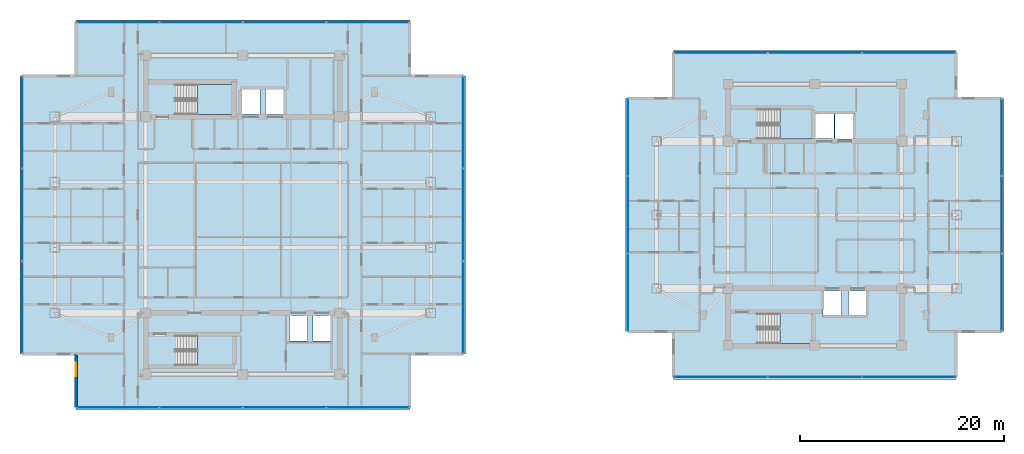
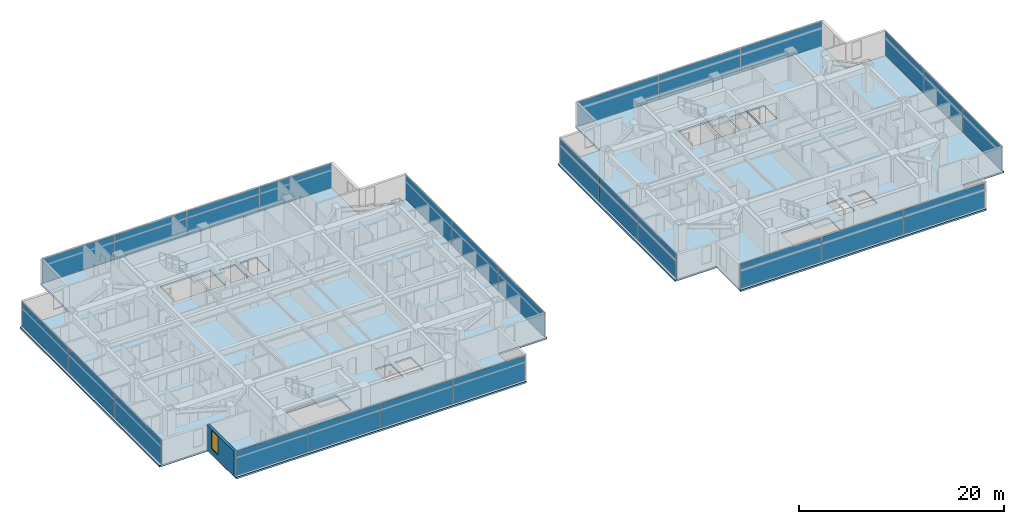
# One storey, part 11 of 25: 26 plates, 6 slabs, 1 wall, 1 window, 1 opening, 12 elements without a shape of their own.
"""IFC4 building model written with IfcOpenShell, lengths in metres."""

import ifcopenshell
import ifcopenshell.guid

model = None  # the IFC model being written
_history = None  # IfcOwnerHistory: only IFC2X3 demands one
_inside = {}  # id of a spatial element -> (the spatial element, [elements in it])
_under = {}  # id of a project, library or spatial element -> (it, [spatial elements below it])
_declared = {}  # id of a project -> (the project, [libraries it declares])
_typed = {}  # id of a type object -> (the type object, [elements of that type])
_made_of = {}  # id of a material, layer set ... -> (it, [elements and type objects made of it])


def new_model(schema):
    """Start an empty IFC model of exactly this schema.

    Asked for "IFC4X3", IfcOpenShell would pick the latest addendum, in which some entities
    have other attributes; the version numbers below select the first issue.
    IFC2X3 requires an IfcOwnerHistory on every rooted entity: one is made here for all.
    """
    global model, _history
    if schema == "IFC4X3":
        model = ifcopenshell.file(schema_version=(4, 3, 0, 0))
    else:
        model = ifcopenshell.file(schema=schema)
    _inside.clear()
    _under.clear()
    _declared.clear()
    _typed.clear()
    _made_of.clear()
    _history = None
    if model.schema == "IFC2X3":
        org = make("IfcOrganization", Name="unknown")
        user = make(
            "IfcPersonAndOrganization",
            ThePerson=make("IfcPerson", FamilyName="unknown"),
            TheOrganization=org,
        )
        app = make(
            "IfcApplication",
            ApplicationDeveloper=org,
            Version="unknown",
            ApplicationFullName="unknown",
            ApplicationIdentifier="unknown",
        )
        _history = make(
            "IfcOwnerHistory",
            OwningUser=user,
            OwningApplication=app,
            ChangeAction="ADDED",
            CreationDate=0,
        )
    return model


def make(cls, **values):
    """One entity of the class cls with the attributes given. An attribute that is None is left unset."""
    return model.create_entity(
        cls, **{name: value for name, value in values.items() if value is not None}
    )


def rooted(cls, **values):
    """An entity with a GlobalId (a new one), such as an element, a storey or a relation."""
    return make(cls, GlobalId=ifcopenshell.guid.new(), OwnerHistory=_history, **values)


def si_unit(unit_type, name, prefix=None):
    """IfcSIUnit, for example si_unit("LENGTHUNIT", "METRE", prefix="MILLI")."""
    return make("IfcSIUnit", UnitType=unit_type, Prefix=prefix, Name=name)


def assignment(units):
    """IfcUnitAssignment: the units of a project."""
    return None if units is None else make("IfcUnitAssignment", Units=units)


def point(xyz):
    """IfcCartesianPoint."""
    return None if xyz is None else make("IfcCartesianPoint", Coordinates=xyz)


def direction(xyz):
    """IfcDirection."""
    return None if xyz is None else make("IfcDirection", DirectionRatios=xyz)


def frame(location, z_axis=None, x_axis=None):
    """IfcAxis2Placement3D, a coordinate frame: its origin and axes. An axis left out is left unset."""
    return make(
        "IfcAxis2Placement3D",
        Location=point(location),
        Axis=direction(z_axis),
        RefDirection=direction(x_axis),
    )


def frame_2d(location, x_axis=None):
    """IfcAxis2Placement2D, a coordinate frame in the plane: its origin and x axis."""
    return make(
        "IfcAxis2Placement2D", Location=point(location), RefDirection=direction(x_axis)
    )


def origin():
    """The frame at (0, 0, 0) with its axes left unset."""
    return frame((0.0, 0.0, 0.0))


def origin_2d():
    """The frame at (0, 0) in the plane with its x axis left unset."""
    return frame_2d((0.0, 0.0))


def place(relative_to, where):
    """IfcLocalPlacement: puts the frame where relative to a parent placement (None: the world)."""
    return make(
        "IfcLocalPlacement", PlacementRelTo=relative_to, RelativePlacement=where
    )


def context(
    kind, dimensions, precision=None, world=None, true_north=None, identifier=None
):
    """IfcGeometricRepresentationContext, for example the 3D "Model" context."""
    return make(
        "IfcGeometricRepresentationContext",
        ContextIdentifier=identifier,
        ContextType=kind,
        CoordinateSpaceDimension=dimensions,
        Precision=precision,
        WorldCoordinateSystem=world,
        TrueNorth=true_north,
    )


def subcontext(parent, identifier, kind, view, scale=None):
    """IfcGeometricRepresentationSubContext, for example "Body" below "Model"."""
    return make(
        "IfcGeometricRepresentationSubContext",
        ContextIdentifier=identifier,
        ContextType=kind,
        ParentContext=parent,
        TargetScale=scale,
        TargetView=view,
    )


def project(units=None, contexts=None):
    """IfcProject with its units and contexts."""
    return rooted(
        "IfcProject",
        Name="project",
        RepresentationContexts=contexts,
        UnitsInContext=assignment(units),
    )


def spatial(cls, under=None, at=None, **own):
    """A site, building, storey or space (cls), placed at a placement, below another one or the project."""
    s = rooted(cls, ObjectPlacement=at, **own)
    if under is not None:
        _under.setdefault(under.id(), (under, []))[1].append(s)
    return s


def polyline(points):
    """IfcPolyline through the points."""
    return make("IfcPolyline", Points=[point(p) for p in points])


def profile(cls, at=None, kind="AREA", **sizes):
    """A parametric profile (cls). Its sizes go by their IFC names, for example OverallWidth=200.0."""
    return make(cls, ProfileType=kind, Position=at, **sizes)


def rectangle(**sizes):
    """IfcRectangleProfileDef."""
    return profile("IfcRectangleProfileDef", **sizes)


def outline(outer, holes=None, kind="AREA"):
    """IfcArbitraryClosedProfileDef: a profile drawn as a closed curve; with holes, ...WithVoids."""
    if holes is None:
        return make("IfcArbitraryClosedProfileDef", ProfileType=kind, OuterCurve=outer)
    return make(
        "IfcArbitraryProfileDefWithVoids",
        ProfileType=kind,
        OuterCurve=outer,
        InnerCurves=holes,
    )


def extrude(swept, where, along, depth):
    """IfcExtrudedAreaSolid: the profile swept, set in the frame where, extruded along a direction by depth."""
    return make(
        "IfcExtrudedAreaSolid",
        SweptArea=swept,
        Position=where,
        ExtrudedDirection=direction(along),
        Depth=depth,
    )


def shape(context_of_items, identifier, shape_type, items):
    """IfcShapeRepresentation: the items that make up one representation, for example the "Body"."""
    return make(
        "IfcShapeRepresentation",
        ContextOfItems=context_of_items,
        RepresentationIdentifier=identifier,
        RepresentationType=shape_type,
        Items=items,
    )


def material(Name=None, Category=None):
    """IfcMaterial."""
    return make("IfcMaterial", Name=Name, Category=Category)


def layer(
    of_material, thickness, ventilated=None, Name=None, Category=None, Priority=None
):
    """IfcMaterialLayer: one layer of a wall or slab, of a material (None: an air gap)."""
    return make(
        "IfcMaterialLayer",
        Material=of_material,
        LayerThickness=thickness,
        IsVentilated=ventilated,
        Name=Name,
        Category=Category,
        Priority=Priority,
    )


def layer_set(layers, Name=None):
    """IfcMaterialLayerSet."""
    return make("IfcMaterialLayerSet", MaterialLayers=layers, LayerSetName=Name)


def made_of(thing, what):
    """Note that an element or type object is made of a material, layer set ...; save() writes the relation."""
    if what is not None:
        _made_of.setdefault(what.id(), (what, []))[1].append(thing)
    return thing


def type_object(cls, material=None, **own):
    """A type object (cls), such as IfcWallType, which elements share."""
    return made_of(rooted(cls, **own), material)


def element(
    cls,
    number,
    at=None,
    inside=None,
    cuts=None,
    type_object=None,
    material=None,
    context=None,
    identifier="Body",
    shape_type=None,
    held_by="IfcProductDefinitionShape",
    body=None,
    shapes=None,
    **own,
):
    """One element of the class cls, such as IfcWall. Its Tag is "e" and its number.

    at: its placement. inside: the storey or other place that contains it. cuts: it is an
    opening in that element (IfcRelVoidsElement). A single representation is given by context,
    identifier, shape_type and body (its items); several are given by shapes. held_by: the class
    of the entity that holds the representations. save() writes the other relations.
    """
    e = rooted(cls, Tag="e%d" % number, ObjectPlacement=at, **own)
    if body is not None:
        shapes = [shape(context, identifier, shape_type, body)]
    if shapes is not None:
        e.Representation = make(held_by, Representations=shapes)
    if inside is not None:
        _inside.setdefault(inside.id(), (inside, []))[1].append(e)
    if cuts is not None:
        rooted(
            "IfcRelVoidsElement", RelatingBuildingElement=cuts, RelatedOpeningElement=e
        )
    if type_object is not None:
        _typed.setdefault(type_object.id(), (type_object, []))[1].append(e)
    return made_of(e, material)


def fill(opening, filler):
    """IfcRelFillsElement: the door or window that sits in an opening."""
    return rooted(
        "IfcRelFillsElement",
        RelatingOpeningElement=opening,
        RelatedBuildingElement=filler,
    )


def aggregate(whole, parts):
    """IfcRelAggregates: a whole, such as a stair, and the parts it consists of."""
    return rooted("IfcRelAggregates", RelatingObject=whole, RelatedObjects=parts)


def save(model, path):
    """Write the relations noted so far, then the file.

    IfcRelAggregates (storeys below a building ...), IfcRelContainedInSpatialStructure (elements
    in a storey), IfcRelDefinesByType, IfcRelAssociatesMaterial and IfcRelDeclares: one each for
    every whole, place, type object, material and project.
    """
    for whole, parts in _under.values():
        aggregate(whole, parts)
    for where, things in _inside.values():
        rooted(
            "IfcRelContainedInSpatialStructure",
            RelatedElements=things,
            RelatingStructure=where,
        )
    for kind, things in _typed.values():
        rooted("IfcRelDefinesByType", RelatedObjects=things, RelatingType=kind)
    for what, things in _made_of.values():
        rooted("IfcRelAssociatesMaterial", RelatedObjects=things, RelatingMaterial=what)
    for by, libraries in _declared.values():
        rooted("IfcRelDeclares", RelatingContext=by, RelatedDefinitions=libraries)
    model.write(path)


model = new_model("IFC4")

# Units and contexts
model_context = context("Model", 3, precision=1e-05, world=origin(), true_north=direction((0.0, 1.0)))
body_context = subcontext(model_context, "Body", "Model", "MODEL_VIEW")
ifc_project = project(units=[si_unit("LENGTHUNIT", "METRE"), si_unit("AREAUNIT", "SQUARE_METRE"), si_unit("VOLUMEUNIT", "CUBIC_METRE"), si_unit("PLANEANGLEUNIT", "RADIAN"), si_unit("MASSUNIT", "GRAM", prefix="KILO")], contexts=[model_context])

# Site, building, storey
site_placement = place(None, origin())
site = spatial("IfcSite", under=ifc_project, at=site_placement, CompositionType="ELEMENT")
building_placement = place(site_placement, origin())
building = spatial("IfcBuilding", under=site, at=building_placement, Name="Mirazonda Arch Towers", CompositionType="ELEMENT")
storey_placement = place(building_placement, frame((0.0, 0.0, 177.14990234375)))
storey = spatial("IfcBuildingStorey", under=building, at=storey_placement, Name="L50", CompositionType="ELEMENT", Elevation=177.14990234375)

# Curtain wall, plates
ifc_material_1 = material(Name="Anodised Aluminium and Low-E Glass", Category="aluminium")
curtain_wall_type = type_object("IfcCurtainWallType", Name="CW-RES-UNIT", PredefinedType="NOTDEFINED", material=ifc_material_1)
curtain_wall_1_placement = place(storey_placement, origin())
curtain_wall_1 = element("IfcCurtainWall", 1, at=curtain_wall_1_placement, inside=storey, type_object=curtain_wall_type, Name="L50 T1 S Facade CW-L50-T1-S", PredefinedType="NOTDEFINED")
ifc_material_2 = material(Name="Insulated Low-E Solar Glass", Category="glass")
ifc_layer_1 = layer(ifc_material_2, 0.0400390625, Name="PAN-CW-RES-UNIT")
ifc_layer_set_1 = layer_set([ifc_layer_1], Name="Insulated Low-E Solar Glass")
plate_type = type_object("IfcPlateType", Name="PAN-CW-RES-UNIT", PredefinedType="CURTAIN_PANEL", material=ifc_layer_set_1)
plate_1_placement = place(storey_placement, frame((32.739990234375, 9.14404296875, 0.0751953125), z_axis=(0.0, 0.0, 1.0), x_axis=(-1.0, 0.0, 0.0)))
plate_1 = element("IfcPlate", 2, at=plate_1_placement, type_object=plate_type, Name="CW-104 panel 1.1", PredefinedType="CURTAIN_PANEL", context=body_context, shape_type="SweptSolid", body=[
    extrude(rectangle(XDim=8.06005859375, YDim=0.0400390625, at=origin_2d()), origin(), (0.0, 0.0, 1.0), 2.8798828125),
])
plate_2_placement = place(storey_placement, frame((24.586181640625, 9.14404296875, 0.0751953125), z_axis=(0.0, 0.0, 1.0), x_axis=(-1.0, 0.0, 0.0)))
plate_2 = element("IfcPlate", 3, at=plate_2_placement, type_object=plate_type, Name="CW-104 panel 2.1", PredefinedType="CURTAIN_PANEL", context=body_context, shape_type="SweptSolid", body=[
    extrude(rectangle(XDim=8.097412109375, YDim=0.0400390625, at=origin_2d()), origin(), (0.0, 0.0, 1.0), 2.8798828125),
])
plate_3_placement = place(storey_placement, frame((16.413818359375, 9.14404296875, 0.0751953125), z_axis=(0.0, 0.0, 1.0), x_axis=(-1.0, 0.0, 0.0)))
plate_3 = element("IfcPlate", 4, at=plate_3_placement, type_object=plate_type, Name="CW-104 panel 3.1", PredefinedType="CURTAIN_PANEL", context=body_context, shape_type="SweptSolid", body=[
    extrude(rectangle(XDim=8.097412109375, YDim=0.0400390625, at=origin_2d()), origin(), (0.0, 0.0, 1.0), 2.8798828125),
])
plate_4_placement = place(storey_placement, frame((8.260009765625, 9.14404296875, 0.0751953125), z_axis=(0.0, 0.0, 1.0), x_axis=(-1.0, 0.0, 0.0)))
plate_4 = element("IfcPlate", 5, at=plate_4_placement, type_object=plate_type, Name="CW-104 panel 4.1", PredefinedType="CURTAIN_PANEL", context=body_context, shape_type="SweptSolid", body=[
    extrude(rectangle(XDim=8.06005859375, YDim=0.0400390625, at=origin_2d()), origin(), (0.0, 0.0, 1.0), 2.8798828125),
])
aggregate(curtain_wall_1, [plate_1, plate_2, plate_3, plate_4])

curtain_wall_2_placement = place(storey_placement, origin())
curtain_wall_2 = element("IfcCurtainWall", 6, at=curtain_wall_2_placement, inside=storey, type_object=curtain_wall_type, Name="L50 T1 E Facade CW-L50-T1-E", PredefinedType="NOTDEFINED")
plate_5_placement = place(storey_placement, frame((42.090087890625, 18.94482421875, 0.0751953125), z_axis=(0.0, 0.0, 1.0), x_axis=(0.0, 1.0, 0.0)))
plate_5 = element("IfcPlate", 7, at=plate_5_placement, type_object=plate_type, Name="CW-104 panel 1.1", PredefinedType="CURTAIN_PANEL", context=body_context, shape_type="SweptSolid", body=[
    extrude(rectangle(XDim=8.96142578125, YDim=0.0400390625, at=origin_2d()), origin(), (0.0, 0.0, 1.0), 2.8798828125),
])
plate_6_placement = place(storey_placement, frame((42.090087890625, 28.0, 0.0751953125), z_axis=(0.0, 0.0, 1.0), x_axis=(0.0, 1.0, 0.0)))
plate_6 = element("IfcPlate", 8, at=plate_6_placement, type_object=plate_type, Name="CW-104 panel 2.1", PredefinedType="CURTAIN_PANEL", context=body_context, shape_type="SweptSolid", body=[
    extrude(rectangle(XDim=8.9990234375, YDim=0.0400390625, at=origin_2d()), origin(), (0.0, 0.0, 1.0), 2.8798828125),
])
plate_7_placement = place(storey_placement, frame((42.090087890625, 37.05517578125, 0.0751953125), z_axis=(0.0, 0.0, 1.0), x_axis=(0.0, 1.0, 0.0)))
plate_7 = element("IfcPlate", 9, at=plate_7_placement, type_object=plate_type, Name="CW-104 panel 3.1", PredefinedType="CURTAIN_PANEL", context=body_context, shape_type="SweptSolid", body=[
    extrude(rectangle(XDim=8.96142578125, YDim=0.0400390625, at=origin_2d()), origin(), (0.0, 0.0, 1.0), 2.8798828125),
])
aggregate(curtain_wall_2, [plate_5, plate_6, plate_7])

curtain_wall_3_placement = place(storey_placement, origin())
curtain_wall_3 = element("IfcCurtainWall", 10, at=curtain_wall_3_placement, inside=storey, type_object=curtain_wall_type, Name="L50 T1 N Facade CW-L50-T1-N", PredefinedType="NOTDEFINED")
plate_8_placement = place(storey_placement, frame((8.260009765625, 46.85595703125, 0.0751953125), z_axis=(0.0, 0.0, 1.0), x_axis=(1.0, 0.0, 0.0)))
plate_8 = element("IfcPlate", 11, at=plate_8_placement, type_object=plate_type, Name="CW-104 panel 1.1", PredefinedType="CURTAIN_PANEL", context=body_context, shape_type="SweptSolid", body=[
    extrude(rectangle(XDim=8.06005859375, YDim=0.0400390625, at=origin_2d()), origin(), (0.0, 0.0, 1.0), 2.8798828125),
])
plate_9_placement = place(storey_placement, frame((16.413818359375, 46.85595703125, 0.0751953125), z_axis=(0.0, 0.0, 1.0), x_axis=(1.0, 0.0, 0.0)))
plate_9 = element("IfcPlate", 12, at=plate_9_placement, type_object=plate_type, Name="CW-104 panel 2.1", PredefinedType="CURTAIN_PANEL", context=body_context, shape_type="SweptSolid", body=[
    extrude(rectangle(XDim=8.097412109375, YDim=0.0400390625, at=origin_2d()), origin(), (0.0, 0.0, 1.0), 2.8798828125),
])
plate_10_placement = place(storey_placement, frame((24.586181640625, 46.85595703125, 0.0751953125), z_axis=(0.0, 0.0, 1.0), x_axis=(1.0, 0.0, 0.0)))
plate_10 = element("IfcPlate", 13, at=plate_10_placement, type_object=plate_type, Name="CW-104 panel 3.1", PredefinedType="CURTAIN_PANEL", context=body_context, shape_type="SweptSolid", body=[
    extrude(rectangle(XDim=8.097412109375, YDim=0.0400390625, at=origin_2d()), origin(), (0.0, 0.0, 1.0), 2.8798828125),
])
plate_11_placement = place(storey_placement, frame((32.739990234375, 46.85595703125, 0.0751953125), z_axis=(0.0, 0.0, 1.0), x_axis=(1.0, 0.0, 0.0)))
plate_11 = element("IfcPlate", 14, at=plate_11_placement, type_object=plate_type, Name="CW-104 panel 4.1", PredefinedType="CURTAIN_PANEL", context=body_context, shape_type="SweptSolid", body=[
    extrude(rectangle(XDim=8.06005859375, YDim=0.0400390625, at=origin_2d()), origin(), (0.0, 0.0, 1.0), 2.8798828125),
])
aggregate(curtain_wall_3, [plate_8, plate_9, plate_10, plate_11])

curtain_wall_4_placement = place(storey_placement, origin())
curtain_wall_4 = element("IfcCurtainWall", 15, at=curtain_wall_4_placement, inside=storey, type_object=curtain_wall_type, Name="L50 T1 W Facade CW-L50-T1-W", PredefinedType="NOTDEFINED")
plate_12_placement = place(storey_placement, frame((-1.090087890625, 37.05517578125, 0.0751953125), z_axis=(0.0, 0.0, 1.0), x_axis=(0.0, -1.0, 0.0)))
plate_12 = element("IfcPlate", 16, at=plate_12_placement, type_object=plate_type, Name="CW-104 panel 1.1", PredefinedType="CURTAIN_PANEL", context=body_context, shape_type="SweptSolid", body=[
    extrude(rectangle(XDim=8.96142578125, YDim=0.0400390625, at=origin_2d()), origin(), (0.0, 0.0, 1.0), 2.8798828125),
])
plate_13_placement = place(storey_placement, frame((-1.090087890625, 28.0, 0.0751953125), z_axis=(0.0, 0.0, 1.0), x_axis=(0.0, -1.0, 0.0)))
plate_13 = element("IfcPlate", 17, at=plate_13_placement, type_object=plate_type, Name="CW-104 panel 2.1", PredefinedType="CURTAIN_PANEL", context=body_context, shape_type="SweptSolid", body=[
    extrude(rectangle(XDim=8.9990234375, YDim=0.0400390625, at=origin_2d()), origin(), (0.0, 0.0, 1.0), 2.8798828125),
])
plate_14_placement = place(storey_placement, frame((-1.090087890625, 18.94482421875, 0.0751953125), z_axis=(0.0, 0.0, 1.0), x_axis=(0.0, -1.0, 0.0)))
plate_14 = element("IfcPlate", 18, at=plate_14_placement, type_object=plate_type, Name="CW-104 panel 3.1", PredefinedType="CURTAIN_PANEL", context=body_context, shape_type="SweptSolid", body=[
    extrude(rectangle(XDim=8.96142578125, YDim=0.0400390625, at=origin_2d()), origin(), (0.0, 0.0, 1.0), 2.8798828125),
])
aggregate(curtain_wall_4, [plate_12, plate_13, plate_14])

curtain_wall_5_placement = place(storey_placement, origin())
curtain_wall_5 = element("IfcCurtainWall", 19, at=curtain_wall_5_placement, inside=storey, type_object=curtain_wall_type, Name="L50 T2 S Facade CW-L50-T2-S", PredefinedType="NOTDEFINED")
plate_15_placement = place(storey_placement, frame((85.703369140625, 12.12548828125, 0.0751953125), z_axis=(0.0, 0.0, 1.0), x_axis=(-1.0, 0.0, 0.0)))
plate_15 = element("IfcPlate", 20, at=plate_15_placement, type_object=plate_type, Name="CW-104 panel 1.1", PredefinedType="CURTAIN_PANEL", context=body_context, shape_type="SweptSolid", body=[
    extrude(rectangle(XDim=9.109619140625, YDim=0.0400390625, at=origin_2d()), origin(), (0.0, 0.0, 1.0), 2.8798828125),
])
plate_16_placement = place(storey_placement, frame((76.5, 12.12548828125, 0.0751953125), z_axis=(0.0, 0.0, 1.0), x_axis=(-1.0, 0.0, 0.0)))
plate_16 = element("IfcPlate", 21, at=plate_16_placement, type_object=plate_type, Name="CW-104 panel 2.1", PredefinedType="CURTAIN_PANEL", context=body_context, shape_type="SweptSolid", body=[
    extrude(rectangle(XDim=9.147216796875, YDim=0.0400390625, at=origin_2d()), origin(), (0.0, 0.0, 1.0), 2.8798828125),
])
plate_17_placement = place(storey_placement, frame((67.296630859375, 12.12548828125, 0.0751953125), z_axis=(0.0, 0.0, 1.0), x_axis=(-1.0, 0.0, 0.0)))
plate_17 = element("IfcPlate", 22, at=plate_17_placement, type_object=plate_type, Name="CW-104 panel 3.1", PredefinedType="CURTAIN_PANEL", context=body_context, shape_type="SweptSolid", body=[
    extrude(rectangle(XDim=9.109619140625, YDim=0.0400390625, at=origin_2d()), origin(), (0.0, 0.0, 1.0), 2.8798828125),
])
aggregate(curtain_wall_5, [plate_15, plate_16, plate_17])

curtain_wall_6_placement = place(storey_placement, origin())
curtain_wall_6 = element("IfcCurtainWall", 23, at=curtain_wall_6_placement, inside=storey, type_object=curtain_wall_type, Name="L50 T2 E Facade CW-L50-T2-E", PredefinedType="NOTDEFINED")
plate_18_placement = place(storey_placement, frame((94.798583984375, 20.41259765625, 0.0751953125), z_axis=(0.0, 0.0, 1.0), x_axis=(0.0, 1.0, 0.0)))
plate_18 = element("IfcPlate", 24, at=plate_18_placement, type_object=plate_type, Name="CW-104 panel 1.1", PredefinedType="CURTAIN_PANEL", context=body_context, shape_type="SweptSolid", body=[
    extrude(rectangle(XDim=7.49365234375, YDim=0.0400390625, at=origin_2d()), origin(), (0.0, 0.0, 1.0), 2.8798828125),
])
plate_19_placement = place(storey_placement, frame((94.798583984375, 28.0, 0.0751953125), z_axis=(0.0, 0.0, 1.0), x_axis=(0.0, 1.0, 0.0)))
plate_19 = element("IfcPlate", 25, at=plate_19_placement, type_object=plate_type, Name="CW-104 panel 2.1", PredefinedType="CURTAIN_PANEL", context=body_context, shape_type="SweptSolid", body=[
    extrude(rectangle(XDim=7.53125, YDim=0.0400390625, at=origin_2d()), origin(), (0.0, 0.0, 1.0), 2.8798828125),
])
plate_20_placement = place(storey_placement, frame((94.798583984375, 35.58740234375, 0.0751953125), z_axis=(0.0, 0.0, 1.0), x_axis=(0.0, 1.0, 0.0)))
plate_20 = element("IfcPlate", 26, at=plate_20_placement, type_object=plate_type, Name="CW-104 panel 3.1", PredefinedType="CURTAIN_PANEL", context=body_context, shape_type="SweptSolid", body=[
    extrude(rectangle(XDim=7.49365234375, YDim=0.0400390625, at=origin_2d()), origin(), (0.0, 0.0, 1.0), 2.8798828125),
])
aggregate(curtain_wall_6, [plate_18, plate_19, plate_20])

curtain_wall_7_placement = place(storey_placement, origin())
curtain_wall_7 = element("IfcCurtainWall", 27, at=curtain_wall_7_placement, inside=storey, type_object=curtain_wall_type, Name="L50 T2 N Facade CW-L50-T2-N", PredefinedType="NOTDEFINED")
plate_21_placement = place(storey_placement, frame((67.296630859375, 43.87451171875, 0.0751953125), z_axis=(0.0, 0.0, 1.0), x_axis=(1.0, 0.0, 0.0)))
plate_21 = element("IfcPlate", 28, at=plate_21_placement, type_object=plate_type, Name="CW-104 panel 1.1", PredefinedType="CURTAIN_PANEL", context=body_context, shape_type="SweptSolid", body=[
    extrude(rectangle(XDim=9.109619140625, YDim=0.0400390625, at=origin_2d()), origin(), (0.0, 0.0, 1.0), 2.8798828125),
])
plate_22_placement = place(storey_placement, frame((76.5, 43.87451171875, 0.0751953125), z_axis=(0.0, 0.0, 1.0), x_axis=(1.0, 0.0, 0.0)))
plate_22 = element("IfcPlate", 29, at=plate_22_placement, type_object=plate_type, Name="CW-104 panel 2.1", PredefinedType="CURTAIN_PANEL", context=body_context, shape_type="SweptSolid", body=[
    extrude(rectangle(XDim=9.147216796875, YDim=0.0400390625, at=origin_2d()), origin(), (0.0, 0.0, 1.0), 2.8798828125),
])
plate_23_placement = place(storey_placement, frame((85.703369140625, 43.87451171875, 0.0751953125), z_axis=(0.0, 0.0, 1.0), x_axis=(1.0, 0.0, 0.0)))
plate_23 = element("IfcPlate", 30, at=plate_23_placement, type_object=plate_type, Name="CW-104 panel 3.1", PredefinedType="CURTAIN_PANEL", context=body_context, shape_type="SweptSolid", body=[
    extrude(rectangle(XDim=9.109619140625, YDim=0.0400390625, at=origin_2d()), origin(), (0.0, 0.0, 1.0), 2.8798828125),
])
aggregate(curtain_wall_7, [plate_21, plate_22, plate_23])

curtain_wall_8_placement = place(storey_placement, origin())
curtain_wall_8 = element("IfcCurtainWall", 31, at=curtain_wall_8_placement, inside=storey, type_object=curtain_wall_type, Name="L50 T2 W Facade CW-L50-T2-W", PredefinedType="NOTDEFINED")
plate_24_placement = place(storey_placement, frame((58.201416015625, 35.58740234375, 0.0751953125), z_axis=(0.0, 0.0, 1.0), x_axis=(0.0, -1.0, 0.0)))
plate_24 = element("IfcPlate", 32, at=plate_24_placement, type_object=plate_type, Name="CW-104 panel 1.1", PredefinedType="CURTAIN_PANEL", context=body_context, shape_type="SweptSolid", body=[
    extrude(rectangle(XDim=7.49365234375, YDim=0.0400390625, at=origin_2d()), origin(), (0.0, 0.0, 1.0), 2.8798828125),
])
plate_25_placement = place(storey_placement, frame((58.201416015625, 28.0, 0.0751953125), z_axis=(0.0, 0.0, 1.0), x_axis=(0.0, -1.0, 0.0)))
plate_25 = element("IfcPlate", 33, at=plate_25_placement, type_object=plate_type, Name="CW-104 panel 2.1", PredefinedType="CURTAIN_PANEL", context=body_context, shape_type="SweptSolid", body=[
    extrude(rectangle(XDim=7.53125, YDim=0.0400390625, at=origin_2d()), origin(), (0.0, 0.0, 1.0), 2.8798828125),
])
plate_26_placement = place(storey_placement, frame((58.201416015625, 20.41259765625, 0.0751953125), z_axis=(0.0, 0.0, 1.0), x_axis=(0.0, -1.0, 0.0)))
plate_26 = element("IfcPlate", 34, at=plate_26_placement, type_object=plate_type, Name="CW-104 panel 3.1", PredefinedType="CURTAIN_PANEL", context=body_context, shape_type="SweptSolid", body=[
    extrude(rectangle(XDim=7.49365234375, YDim=0.0400390625, at=origin_2d()), origin(), (0.0, 0.0, 1.0), 2.8798828125),
])
aggregate(curtain_wall_8, [plate_24, plate_25, plate_26])

# Stair, slab
ifc_material_3 = material(Name="Concrete C40/50", Category="concrete")
stair_type = type_object("IfcStairType", Name="STAIR-CORE-1400", PredefinedType="HALF_TURN_STAIR", material=ifc_material_3)
stair_1_placement = place(storey_placement, origin())
stair_1 = element("IfcStair", 35, at=stair_1_placement, inside=storey, type_object=stair_type, Name="L50 Protected Exit Stair ST-T1N", PredefinedType="HALF_TURN_STAIR")
ifc_layer_2 = layer(ifc_material_3, 0.18994140625, Name="SLAB-LANDING-190")
ifc_layer_set_2 = layer_set([ifc_layer_2], Name="Concrete C40/50")
slab_type_1 = type_object("IfcSlabType", Name="SLAB-LANDING-190", PredefinedType="LANDING", material=ifc_layer_set_2)
slab_1_placement = place(storey_placement, frame((0.0, 0.0, 1.425048828125)))
slab_1 = element("IfcSlab", 36, at=slab_1_placement, type_object=slab_type_1, Name="ST-T1N landing 1", PredefinedType="LANDING", context=body_context, shape_type="SweptSolid", body=[
    extrude(outline(polyline([(16.090087890625, 37.820068359375), (19.60009765625, 37.820068359375), (19.60009765625, 40.760009765625), (16.090087890625, 40.760009765625), (16.090087890625, 37.820068359375)])), origin(), (0.0, 0.0, 1.0), 0.199951171875),
])
aggregate(stair_1, [slab_1])

stair_2_placement = place(storey_placement, origin())
stair_2 = element("IfcStair", 37, at=stair_2_placement, inside=storey, type_object=stair_type, Name="L50 Protected Exit Stair ST-T1S", PredefinedType="HALF_TURN_STAIR")
slab_2_placement = place(storey_placement, frame((0.0, 0.0, 1.425048828125)))
slab_2 = element("IfcSlab", 38, at=slab_2_placement, type_object=slab_type_1, Name="ST-T1S landing 1", PredefinedType="LANDING", context=body_context, shape_type="SweptSolid", body=[
    extrude(outline(polyline([(16.090087890625, 13.25), (19.60009765625, 13.25), (19.60009765625, 16.18994140625), (16.090087890625, 16.18994140625), (16.090087890625, 13.25)])), origin(), (0.0, 0.0, 1.0), 0.199951171875),
])
aggregate(stair_2, [slab_2])

stair_3_placement = place(storey_placement, origin())
stair_3 = element("IfcStair", 39, at=stair_3_placement, inside=storey, type_object=stair_type, Name="L50 Protected Exit Stair ST-T2N", PredefinedType="HALF_TURN_STAIR")
slab_3_placement = place(storey_placement, frame((0.0, 0.0, 1.425048828125)))
slab_3 = element("IfcSlab", 40, at=slab_3_placement, type_object=slab_type_1, Name="ST-T2N landing 1", PredefinedType="LANDING", context=body_context, shape_type="SweptSolid", body=[
    extrude(outline(polyline([(73.090087890625, 35.419921875), (76.22998046875, 35.419921875), (76.22998046875, 38.360107421875), (73.090087890625, 38.360107421875), (73.090087890625, 35.419921875)])), origin(), (0.0, 0.0, 1.0), 0.199951171875),
])
aggregate(stair_3, [slab_3])

stair_4_placement = place(storey_placement, origin())
stair_4 = element("IfcStair", 41, at=stair_4_placement, inside=storey, type_object=stair_type, Name="L50 Protected Exit Stair ST-T2S", PredefinedType="HALF_TURN_STAIR")
slab_4_placement = place(storey_placement, frame((0.0, 0.0, 1.425048828125)))
slab_4 = element("IfcSlab", 42, at=slab_4_placement, type_object=slab_type_1, Name="ST-T2S landing 1", PredefinedType="LANDING", context=body_context, shape_type="SweptSolid", body=[
    extrude(outline(polyline([(73.090087890625, 15.419921875), (76.22998046875, 15.419921875), (76.22998046875, 18.360107421875), (73.090087890625, 18.360107421875), (73.090087890625, 15.419921875)])), origin(), (0.0, 0.0, 1.0), 0.199951171875),
])
aggregate(stair_4, [slab_4])

# Slabs
ifc_layer_3 = layer(ifc_material_3, 0.199951171875, Name="SLAB-TWR-200")
ifc_layer_set_3 = layer_set([ifc_layer_3], Name="Concrete C40/50")
slab_type_2 = type_object("IfcSlabType", Name="SLAB-TWR-200", PredefinedType="FLOOR", material=ifc_layer_set_3)
slab_5_placement = place(storey_placement, frame((0.0, 0.0, -0.199951171875)))
element("IfcSlab", 43, at=slab_5_placement, inside=storey, type_object=slab_type_2, Name="L50 Tower 1 Floor Slab", PredefinedType="FLOOR", context=body_context, shape_type="SweptSolid", body=[
    extrude(outline(polyline([(4.155029296875, 8.924072265625), (36.844970703125, 8.924072265625), (36.844970703125, 14.388916015625), (42.31005859375, 14.388916015625), (42.31005859375, 41.611083984375), (36.844970703125, 41.611083984375), (36.844970703125, 47.075927734375), (4.155029296875, 47.075927734375), (4.155029296875, 41.611083984375), (-1.31005859375, 41.611083984375), (-1.31005859375, 14.388916015625), (4.155029296875, 14.388916015625), (4.155029296875, 8.924072265625)]), holes=[polyline([(27.360107421875, 18.139892578125), (29.139892578125, 18.139892578125), (29.139892578125, 15.659912109375), (27.360107421875, 15.659912109375), (27.360107421875, 18.139892578125)]), polyline([(25.06005859375, 18.139892578125), (26.840087890625, 18.139892578125), (26.840087890625, 15.659912109375), (25.06005859375, 15.659912109375), (25.06005859375, 18.139892578125)]), polyline([(22.7099609375, 40.389892578125), (24.590087890625, 40.389892578125), (24.590087890625, 37.81005859375), (22.7099609375, 37.81005859375), (22.7099609375, 40.389892578125)]), polyline([(20.31005859375, 37.860107421875), (20.31005859375, 40.340087890625), (22.18994140625, 40.340087890625), (22.18994140625, 37.860107421875), (20.31005859375, 37.860107421875)]), polyline([(19.60009765625, 13.25), (13.925048828125, 13.25), (13.925048828125, 16.18994140625), (19.60009765625, 16.18994140625), (19.60009765625, 13.25)]), polyline([(13.925048828125, 37.820068359375), (13.925048828125, 40.760009765625), (19.60009765625, 40.760009765625), (19.60009765625, 37.820068359375), (13.925048828125, 37.820068359375)])]), origin(), (0.0, 0.0, 1.0), 0.199951171875),
])
slab_6_placement = place(storey_placement, frame((0.0, 0.0, -0.199951171875)))
element("IfcSlab", 44, at=slab_6_placement, inside=storey, type_object=slab_type_2, Name="L50 Tower 2 Floor Slab", PredefinedType="FLOOR", context=body_context, shape_type="SweptSolid", body=[
    extrude(outline(polyline([(62.666748046875, 11.905517578125), (90.333251953125, 11.905517578125), (90.333251953125, 16.590576171875), (95.0185546875, 16.590576171875), (95.0185546875, 39.409423828125), (90.333251953125, 39.409423828125), (90.333251953125, 44.094482421875), (62.666748046875, 44.094482421875), (62.666748046875, 39.409423828125), (57.9814453125, 39.409423828125), (57.9814453125, 16.590576171875), (62.666748046875, 16.590576171875), (62.666748046875, 11.905517578125)]), holes=[polyline([(79.81005859375, 20.5400390625), (81.590087890625, 20.5400390625), (81.590087890625, 18.06005859375), (79.81005859375, 18.06005859375), (79.81005859375, 20.5400390625)]), polyline([(78.47998046875, 37.989990234375), (80.360107421875, 37.989990234375), (80.360107421875, 35.409912109375), (78.47998046875, 35.409912109375), (78.47998046875, 37.989990234375)]), polyline([(77.31005859375, 20.5400390625), (79.090087890625, 20.5400390625), (79.090087890625, 18.06005859375), (77.31005859375, 18.06005859375), (77.31005859375, 20.5400390625)]), polyline([(76.510009765625, 35.4599609375), (76.510009765625, 37.93994140625), (78.389892578125, 37.93994140625), (78.389892578125, 35.4599609375), (76.510009765625, 35.4599609375)]), polyline([(76.22998046875, 15.419921875), (70.925048828125, 15.419921875), (70.925048828125, 18.360107421875), (76.22998046875, 18.360107421875), (76.22998046875, 15.419921875)]), polyline([(70.925048828125, 35.419921875), (70.925048828125, 38.360107421875), (76.22998046875, 38.360107421875), (76.22998046875, 35.419921875), (70.925048828125, 35.419921875)])]), origin(), (0.0, 0.0, 1.0), 0.199951171875),
])

# Wall, opening, window
ifc_material_4 = material(Name="Precast Concrete C40/50", Category="concrete")
ifc_layer_4 = layer(ifc_material_4, 0.280029296875, Name="WALL-EXT-WALL-280")
ifc_layer_set_4 = layer_set([ifc_layer_4], Name="Precast Concrete C40/50")
wall_type = type_object("IfcWallType", Name="WALL-EXT-WALL-280", PredefinedType="SOLIDWALL", material=ifc_layer_set_4)
wall_placement = place(storey_placement, frame((4.155029296875, 14.388916015625, 0.0), z_axis=(0.0, 0.0, 1.0), x_axis=(0.0, -1.0, 0.0)))
wall = element("IfcWall", 45, at=wall_placement, inside=storey, type_object=wall_type, Name="L50 T1 Notched SW Corner Wall WL-L50-T1-CSW", PredefinedType="SOLIDWALL", context=body_context, shape_type="SweptSolid", body=[
    extrude(rectangle(XDim=5.244873046875, YDim=0.280029296875, at=frame_2d((2.62255859375, 0.0))), origin(), (0.0, 0.0, 1.0), 3.030029296875),
])
opening_placement = place(wall_placement, frame((0.85009765625, 0.0, 0.679931640625)))
opening = element("IfcOpeningElement", 46, at=opening_placement, cuts=wall, Name="Opening WN-104", PredefinedType="OPENING", context=body_context, shape_type="SweptSolid", body=[
    extrude(rectangle(XDim=1.35009765625, YDim=2.199951171875, at=frame_2d((0.675048828125, 1.10009765625))), frame((0.0, 0.14990234375, 0.0), z_axis=(0.0, -1.0, 0.0), x_axis=(1.0, 0.0, 0.0)), (0.0, 0.0, 1.0), 0.300048828125),
])
window_type = type_object("IfcWindowType", Name="WIN-RES-1350x2200", PartitioningType="SINGLE_PANEL", PredefinedType="WINDOW", material=ifc_material_2)
window_placement = place(opening_placement, origin())
window = element("IfcWindow", 47, at=window_placement, inside=storey, type_object=window_type, Name="L50 Punched Facade Window WN-L50-T1-CSW", OverallHeight=2.199951171875, OverallWidth=1.35009765625, PartitioningType="SINGLE_PANEL", PredefinedType="WINDOW", context=body_context, shape_type="SweptSolid", body=[
    extrude(rectangle(XDim=1.35009765625, YDim=2.199951171875, at=frame_2d((0.675048828125, 1.10009765625))), frame((0.0, 0.030029296875, 0.0), z_axis=(0.0, -1.0, 0.0), x_axis=(1.0, 0.0, 0.0)), (0.0, 0.0, 1.0), 0.06005859375),
])
fill(opening, window)

save(model, "model.ifc")
